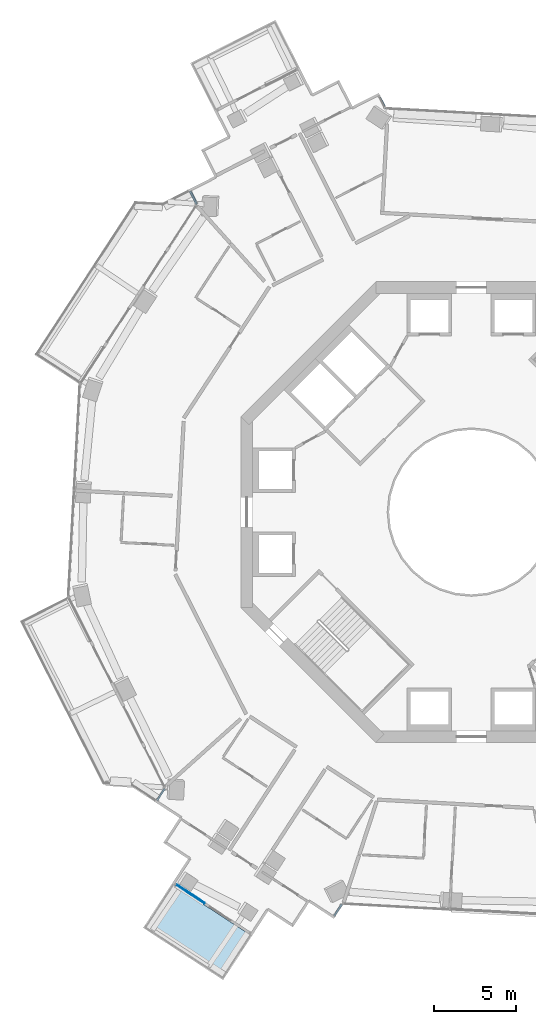
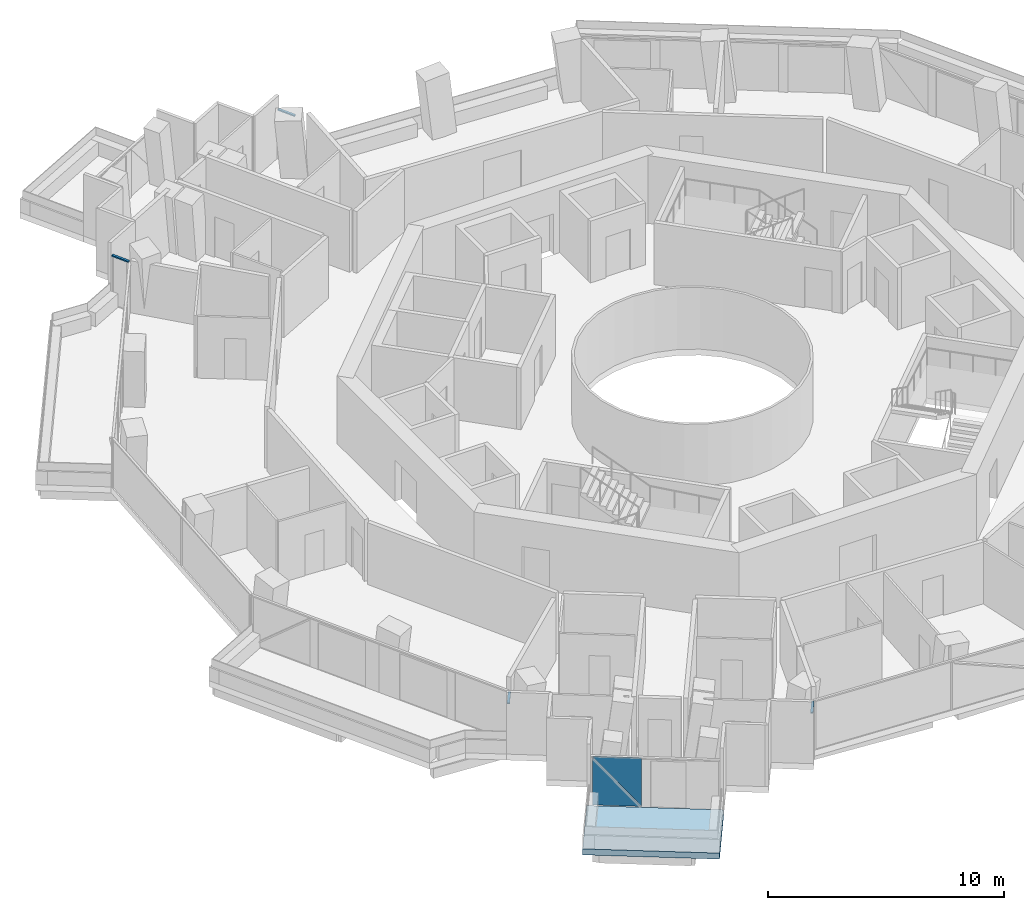
# One storey, part 10 of 23: 4 members, 2 plates, 1 slab, 5 elements without a shape of their own.
"""IFC4 building model written with IfcOpenShell, lengths in metres."""

from ifc_helpers import new_model, si_unit, direction, frame, origin, origin_2d, place, context, subcontext, project, spatial, polyline, rectangle, outline, extrude, material, layer, layer_set, material_profile, profile_set, type_object, element, aggregate, save


model = new_model("IFC4")

# Units and contexts
model_context = context("Model", 3, precision=1e-05, world=origin(), true_north=direction((0.0, 1.0)))
body_context = subcontext(model_context, "Body", "Model", "MODEL_VIEW")
ifc_project = project(units=[si_unit("LENGTHUNIT", "METRE"), si_unit("AREAUNIT", "SQUARE_METRE"), si_unit("VOLUMEUNIT", "CUBIC_METRE"), si_unit("PLANEANGLEUNIT", "RADIAN"), si_unit("MASSUNIT", "GRAM", prefix="KILO")], contexts=[model_context])

# Site, building, storey
site_placement = place(None, origin())
site = spatial("IfcSite", under=ifc_project, at=site_placement, CompositionType="ELEMENT")
building_placement = place(site_placement, origin())
building = spatial("IfcBuilding", under=site, at=building_placement, Name="Verdalira Terraces Hotel", CompositionType="ELEMENT")
storey_placement = place(building_placement, frame((0.0, 0.0, 143.5)))
storey = spatial("IfcBuildingStorey", under=building, at=storey_placement, Name="L34", CompositionType="ELEMENT", Elevation=143.5)

# Curtain wall, member
ifc_material_1 = material(Name="Clear glass", Category="glass")
ifc_layer_1 = layer(ifc_material_1, 0.14990234375)
ifc_layer_set_1 = layer_set([ifc_layer_1], Name="CW2 curtain wall")
curtain_wall_type_1 = type_object("IfcCurtainWallType", Name="CW2 curtain wall", PredefinedType="NOTDEFINED", material=ifc_layer_set_1)
curtain_wall_1_placement = place(storey_placement, origin())
curtain_wall_1 = element("IfcCurtainWall", 1, at=curtain_wall_1_placement, inside=storey, type_object=curtain_wall_type_1, Name="CW2 curtain wall L34 edge 0", PredefinedType="NOTDEFINED")
ifc_material_2 = material(Name="Terracotta frame", Category="masonry")
ifc_material_profile = material_profile(ifc_material_2, rectangle(XDim=0.11499, YDim=0.064941, at=origin_2d()), Name="TR 65x115")
ifc_profile_set = profile_set([ifc_material_profile], Name="Terracotta frame")
member_type = type_object("IfcMemberType", Name="CW2 transom 65x115", PredefinedType="USERDEFINED", material=ifc_profile_set)
member_1_placement = place(storey_placement, frame((-5.237061, 24.542236, 2.507568), z_axis=(-0.452147648, 0.891943106, 0.0), x_axis=(-0.891943106, -0.452147648, 0.0)))
member_1 = element("IfcMember", 2, at=member_1_placement, type_object=member_type, Name="CW2 transom", ObjectType="TRANSOM", PredefinedType="USERDEFINED", context=body_context, shape_type="SweptSolid", body=[
    extrude(rectangle(XDim=0.11499, YDim=0.064941, at=origin_2d()), origin(), (0.0, 0.0, 1.0), 0.849854),
])
aggregate(curtain_wall_1, [member_1])

curtain_wall_2_placement = place(storey_placement, origin())
curtain_wall_2 = element("IfcCurtainWall", 3, at=curtain_wall_2_placement, inside=storey, type_object=curtain_wall_type_1, Name="CW2 curtain wall L34 edge 10", PredefinedType="NOTDEFINED")
member_2_placement = place(storey_placement, frame((-17.082764, 19.490723, 2.507568), z_axis=(0.452031825, -0.89200181, 0.0), x_axis=(0.89200181, 0.452031825, 0.0)))
member_2 = element("IfcMember", 4, at=member_2_placement, type_object=member_type, Name="CW2 transom", ObjectType="TRANSOM", PredefinedType="USERDEFINED", context=body_context, shape_type="SweptSolid", body=[
    extrude(rectangle(XDim=0.11499, YDim=0.064941, at=origin_2d()), origin(), (0.0, 0.0, 1.0), 0.850098),
])
aggregate(curtain_wall_2, [member_2])

curtain_wall_3_placement = place(storey_placement, origin())
curtain_wall_3 = element("IfcCurtainWall", 5, at=curtain_wall_3_placement, inside=storey, type_object=curtain_wall_type_1, Name="CW2 curtain wall L34 edge 14", PredefinedType="NOTDEFINED")
member_3_placement = place(storey_placement, frame((-18.635742, -16.806396, 2.507568), z_axis=(-0.54632035, -0.83757631, 0.0), x_axis=(0.83757631, -0.54632035, 0.0)))
member_3 = element("IfcMember", 6, at=member_3_placement, type_object=member_type, Name="CW2 transom", ObjectType="TRANSOM", PredefinedType="USERDEFINED", context=body_context, shape_type="SweptSolid", body=[
    extrude(rectangle(XDim=0.11499, YDim=0.064941, at=origin_2d()), origin(), (0.0, 0.0, 1.0), 0.849854),
])
aggregate(curtain_wall_3, [member_3])

curtain_wall_4_placement = place(storey_placement, origin())
curtain_wall_4 = element("IfcCurtainWall", 7, at=curtain_wall_4_placement, inside=storey, type_object=curtain_wall_type_1, Name="CW2 curtain wall L34 edge 24", PredefinedType="NOTDEFINED")
member_4_placement = place(storey_placement, frame((-8.337891, -24.539551, 2.507568), z_axis=(0.54632035, 0.83757631, 0.0), x_axis=(-0.83757631, 0.54632035, 0.0)))
member_4 = element("IfcMember", 8, at=member_4_placement, type_object=member_type, Name="CW2 transom", ObjectType="TRANSOM", PredefinedType="USERDEFINED", context=body_context, shape_type="SweptSolid", body=[
    extrude(rectangle(XDim=0.11499, YDim=0.064941, at=origin_2d()), origin(), (0.0, 0.0, 1.0), 0.849854),
])
aggregate(curtain_wall_4, [member_4])

# Slab
ifc_material_3 = material(Name="Precast concrete C40/50", Category="concrete")
ifc_layer_2 = layer(ifc_material_3, 0.31005859375)
ifc_layer_set_2 = layer_set([ifc_layer_2], Name="Balcony deck 310")
slab_type = type_object("IfcSlabType", Name="Balcony deck 310", PredefinedType="FLOOR", material=ifc_layer_set_2)
slab_placement = place(storey_placement, frame((0.0, 0.0, -0.310059)))
element("IfcSlab", 9, at=slab_placement, inside=storey, type_object=slab_type, Name="Balcony deck", PredefinedType="FLOOR", context=body_context, shape_type="SweptSolid", body=[
    extrude(outline(polyline([(-15.087646, -28.434326), (-13.339111, -25.75415), (-18.196777, -22.585205), (-19.945312, -25.265137), (-15.087646, -28.434326)])), origin(), (0.0, 0.0, 1.0), 0.310059),
])

# Curtain wall, plates
ifc_material_4 = material(Name="Clear glass", Category="glass")
ifc_layer_3 = layer(ifc_material_4, 0.14990234375)
ifc_layer_set_3 = layer_set([ifc_layer_3], Name="CW3 curtain wall")
curtain_wall_type_2 = type_object("IfcCurtainWallType", Name="CW3 curtain wall", PredefinedType="NOTDEFINED", material=ifc_layer_set_3)
curtain_wall_5_placement = place(storey_placement, origin())
curtain_wall_5 = element("IfcCurtainWall", 10, at=curtain_wall_5_placement, inside=storey, type_object=curtain_wall_type_2, Name="CW3 curtain wall L34 edge 19", PredefinedType="NOTDEFINED")
ifc_material_5 = material(Name="Clear glass", Category="glass")
ifc_layer_4 = layer(ifc_material_5, 0.035888671875)
ifc_layer_set_4 = layer_set([ifc_layer_4], Name="CW3 glass unit 36")
plate_type = type_object("IfcPlateType", Name="CW3 glass unit 36", PredefinedType="CURTAIN_PANEL", material=ifc_layer_set_4)
plate_1_placement = place(storey_placement, frame((-17.08252, -23.201172, 1.237549), z_axis=(-0.546394347, -0.83752804, 0.0), x_axis=(0.83752804, -0.546394347, 0.0)))
plate_1 = element("IfcPlate", 11, at=plate_1_placement, type_object=plate_type, Name="CW3 glass unit", PredefinedType="CURTAIN_PANEL", context=body_context, shape_type="SweptSolid", body=[
    extrude(outline(polyline([(-1.040039, -1.237549), (1.040039, -1.237549), (-1.040039, 1.237549), (-1.040039, -1.237549)])), origin(), (0.0, 0.0, 1.0), 0.035889),
])
plate_2_placement = place(storey_placement, frame((-17.062256, -23.170166, 1.237549), z_axis=(-0.546394347, -0.83752804, 0.0), x_axis=(0.83752804, -0.546394347, 0.0)))
plate_2 = element("IfcPlate", 12, at=plate_2_placement, type_object=plate_type, Name="CW3 glass unit", PredefinedType="CURTAIN_PANEL", context=body_context, shape_type="SweptSolid", body=[
    extrude(outline(polyline([(1.040039, -1.237549), (1.040039, 1.237549), (-1.040039, 1.237549), (1.040039, -1.237549)])), origin(), (0.0, 0.0, 1.0), 0.035889),
])
aggregate(curtain_wall_5, [plate_1, plate_2])

save(model, "model.ifc")
